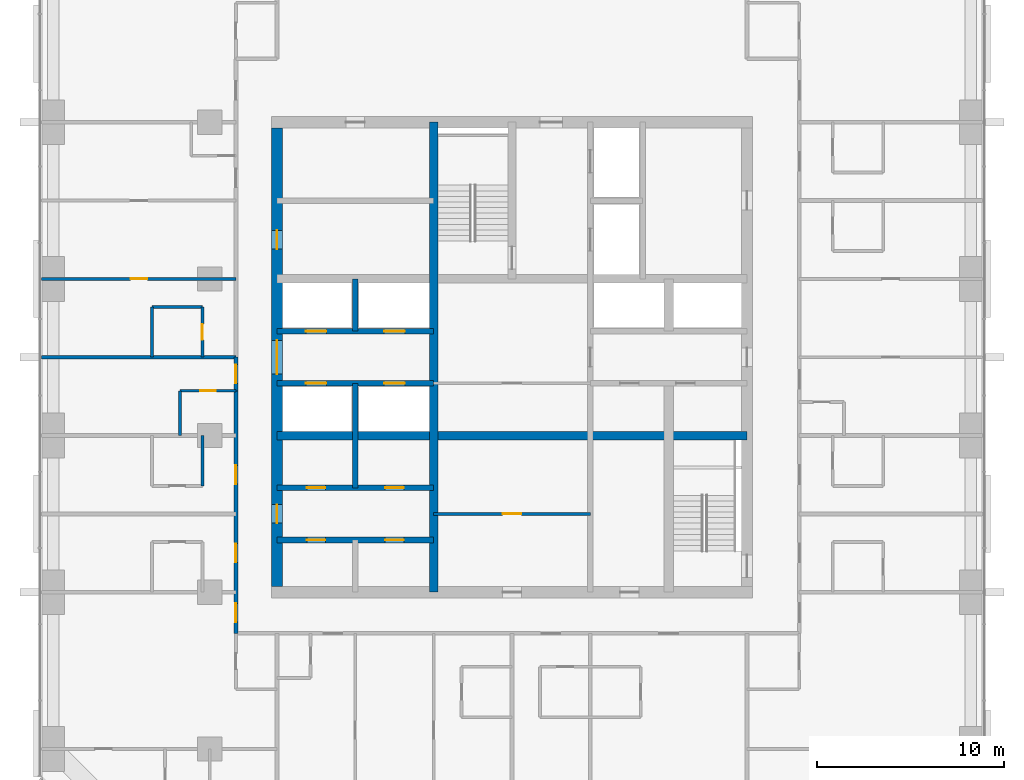
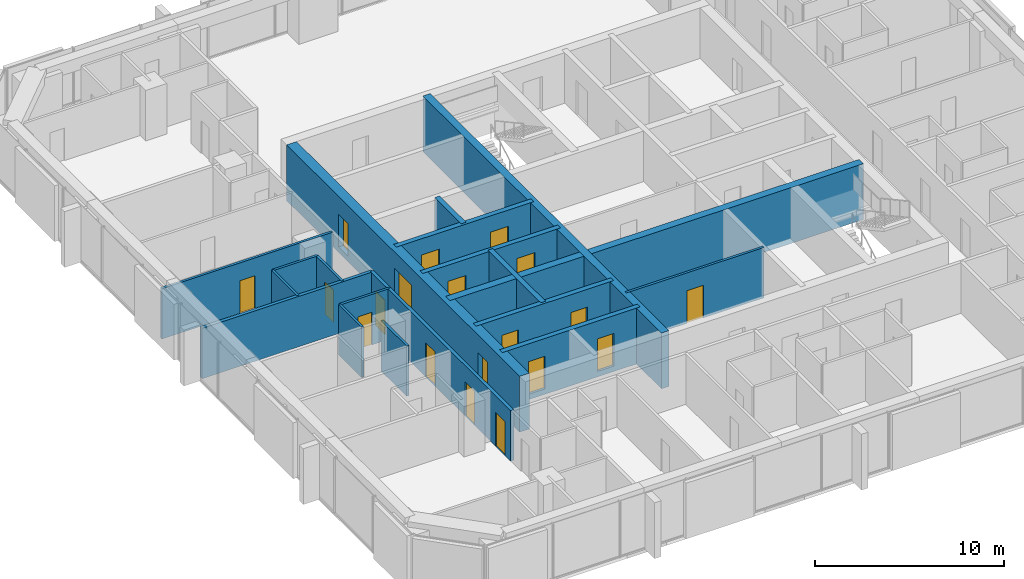
# One storey, part 9 of 13: 20 walls, 19 doors, 19 openings.
"""IFC4 building model written with IfcOpenShell, lengths in metres."""

from ifc_helpers import new_model, si_unit, direction, frame, frame_2d, origin, place, context, subcontext, project, spatial, rectangle, extrude, material, layer, layer_set, type_object, element, fill, save


model = new_model("IFC4")

# Units and contexts
model_context = context("Model", 3, precision=1e-05, world=origin(), true_north=direction((0.0, 1.0)))
body_context = subcontext(model_context, "Body", "Model", "MODEL_VIEW")
ifc_project = project(units=[si_unit("LENGTHUNIT", "METRE"), si_unit("AREAUNIT", "SQUARE_METRE"), si_unit("VOLUMEUNIT", "CUBIC_METRE"), si_unit("PLANEANGLEUNIT", "RADIAN"), si_unit("MASSUNIT", "GRAM", prefix="KILO")], contexts=[model_context])

# Site, building, storey
site_placement = place(None, origin())
site = spatial("IfcSite", under=ifc_project, at=site_placement, CompositionType="ELEMENT")
building_placement = place(site_placement, origin())
building = spatial("IfcBuilding", under=site, at=building_placement, Name="Dunama Terrace Hotel", CompositionType="ELEMENT")
storey_placement = place(building_placement, frame((0.0, 0.0, 209.39990234375)))
storey = spatial("IfcBuildingStorey", under=building, at=storey_placement, Name="L54", CompositionType="ELEMENT", Elevation=209.39990234375)

# Walls
ifc_material_1 = material(Name="Gypsum board partition", Category="masonry")
ifc_layer_1 = layer(ifc_material_1, 0.14990234375)
ifc_layer_set_1 = layer_set([ifc_layer_1], Name="Bathroom partition 150")
wall_type_1 = type_object("IfcWallType", Name="Bathroom partition 150", PredefinedType="PARTITIONING", material=ifc_layer_set_1)
wall_1_placement = place(storey_placement, frame((10.10009765625, 29.39990234375, 0.0), z_axis=(0.0, 0.0, 1.0), x_axis=(0.0, 1.0, 0.0)))
element("IfcWall", 1, at=wall_1_placement, inside=storey, type_object=wall_type_1, Name="Bathroom partition 150 L54", PredefinedType="PARTITIONING", context=body_context, shape_type="SweptSolid", body=[
    extrude(rectangle(XDim=2.7001953125, YDim=0.14990234375, at=frame_2d((1.35009765625, 0.0))), origin(), (0.0, 0.0, 1.0), 3.25),
])
wall_2_placement = place(storey_placement, frame((11.60009765625, 25.199951171875, 0.0), z_axis=(0.0, 0.0, 1.0), x_axis=(0.0, 1.0, 0.0)))
element("IfcWall", 2, at=wall_2_placement, inside=storey, type_object=wall_type_1, Name="Bathroom partition 150 L54", PredefinedType="PARTITIONING", context=body_context, shape_type="SweptSolid", body=[
    extrude(rectangle(XDim=2.400146484375, YDim=0.14990234375, at=frame_2d((1.2001953125, 0.0))), origin(), (0.0, 0.0, 1.0), 3.25),
])
wall_3_placement = place(storey_placement, frame((12.800048828125, 22.5, 0.0), z_axis=(0.0, 0.0, 1.0), x_axis=(0.0, 1.0, 0.0)))
element("IfcWall", 3, at=wall_3_placement, inside=storey, type_object=wall_type_1, Name="Bathroom partition 150 L54", PredefinedType="PARTITIONING", context=body_context, shape_type="SweptSolid", body=[
    extrude(rectangle(XDim=2.699951171875, YDim=0.14990234375, at=frame_2d((1.35009765625, 0.0))), origin(), (0.0, 0.0, 1.0), 3.25),
])

# Wall, opening, door
wall_4_placement = place(storey_placement, frame((12.800048828125, 29.39990234375, 0.0), z_axis=(0.0, 0.0, 1.0), x_axis=(0.0, 1.0, 0.0)))
wall_4 = element("IfcWall", 4, at=wall_4_placement, inside=storey, type_object=wall_type_1, Name="Bathroom partition 150 L54", PredefinedType="PARTITIONING", context=body_context, shape_type="SweptSolid", body=[
    extrude(rectangle(XDim=2.7001953125, YDim=0.14990234375, at=frame_2d((1.35009765625, 0.0))), origin(), (0.0, 0.0, 1.0), 3.25),
])
opening_1_placement = place(wall_4_placement, frame((0.925048828125, 0.0, 0.0)))
opening_1 = element("IfcOpeningElement", 5, at=opening_1_placement, cuts=wall_4, Name="Opening L53-54-039", PredefinedType="OPENING", context=body_context, shape_type="SweptSolid", body=[
    extrude(rectangle(XDim=0.85009765625, YDim=2.10009765625, at=frame_2d((0.425048828125, 1.050048828125))), frame((0.0, 0.0849609375, 0.0), z_axis=(0.0, -1.0, 0.0), x_axis=(1.0, 0.0, 0.0)), (0.0, 0.0, 1.0), 0.169921875),
])
ifc_material_2 = material(Name="Timber door with steel frame", Category="steel")
door_type_1 = type_object("IfcDoorType", Name="Bathroom door 850", OperationType="SINGLE_SWING_LEFT", PredefinedType="DOOR", material=ifc_material_2)
door_1_placement = place(opening_1_placement, origin())
door_1 = element("IfcDoor", 6, at=door_1_placement, inside=storey, type_object=door_type_1, Name="Door to en-suite bathroom L53-54-039, type D2", OperationType="SINGLE_SWING_LEFT", OverallHeight=2.10009765625, OverallWidth=0.85009765625, PredefinedType="DOOR", context=body_context, shape_type="SweptSolid", body=[
    extrude(rectangle(XDim=0.85009765625, YDim=2.10009765625, at=frame_2d((0.425048828125, 1.050048828125))), frame((0.0, 0.02490234375, 0.0), z_axis=(0.0, -1.0, 0.0), x_axis=(1.0, 0.0, 0.0)), (0.0, 0.0, 1.0), 0.050048828125),
])
fill(opening_1, door_1)

wall_5_placement = place(storey_placement, frame((11.60009765625, 27.60009765625, 0.0), z_axis=(0.0, 0.0, 1.0), x_axis=(1.0, 0.0, 0.0)))
wall_5 = element("IfcWall", 7, at=wall_5_placement, inside=storey, type_object=wall_type_1, Name="Bathroom partition 150 L54", PredefinedType="PARTITIONING", context=body_context, shape_type="SweptSolid", body=[
    extrude(rectangle(XDim=3.0, YDim=0.14990234375, at=frame_2d((1.5, 0.0))), origin(), (0.0, 0.0, 1.0), 3.25),
])
opening_2_placement = place(wall_5_placement, frame((1.074951171875, 0.0, 0.0)))
opening_2 = element("IfcOpeningElement", 8, at=opening_2_placement, cuts=wall_5, Name="Opening L53-54-034", PredefinedType="OPENING", context=body_context, shape_type="SweptSolid", body=[
    extrude(rectangle(XDim=0.85009765625, YDim=2.10009765625, at=frame_2d((0.425048828125, 1.050048828125))), frame((0.0, 0.0849609375, 0.0), z_axis=(0.0, -1.0, 0.0), x_axis=(1.0, 0.0, 0.0)), (0.0, 0.0, 1.0), 0.169921875),
])
door_2_placement = place(opening_2_placement, frame((0.85009765625, 0.0, 0.0), z_axis=(0.0, 0.0, 1.0), x_axis=(-1.0, 0.0, 0.0)))
door_2 = element("IfcDoor", 9, at=door_2_placement, inside=storey, type_object=door_type_1, Name="Door to ablution room L53-54-034, type D2", OperationType="SINGLE_SWING_RIGHT", OverallHeight=2.10009765625, OverallWidth=0.85009765625, PredefinedType="DOOR", context=body_context, shape_type="SweptSolid", body=[
    extrude(rectangle(XDim=0.85009765625, YDim=2.10009765625, at=frame_2d((0.425048828125, 1.050048828125))), frame((0.0, 0.025146484375, 0.0), z_axis=(0.0, -1.0, 0.0), x_axis=(1.0, 0.0, 0.0)), (0.0, 0.0, 1.0), 0.050048828125),
])
fill(opening_2, door_2)

# Walls
wall_6_placement = place(storey_placement, frame((10.10009765625, 32.10009765625, 0.0), z_axis=(0.0, 0.0, 1.0), x_axis=(1.0, 0.0, 0.0)))
element("IfcWall", 10, at=wall_6_placement, inside=storey, type_object=wall_type_1, Name="Bathroom partition 150 L54", PredefinedType="PARTITIONING", context=body_context, shape_type="SweptSolid", body=[
    extrude(rectangle(XDim=2.699951171875, YDim=0.14990234375, at=frame_2d((1.35009765625, 0.0))), origin(), (0.0, 0.0, 1.0), 3.25),
])
ifc_material_3 = material(Name="Concrete C50/60", Category="concrete")
ifc_layer_2 = layer(ifc_material_3, 0.300048828125)
ifc_layer_set_2 = layer_set([ifc_layer_2], Name="Core inner wall 300")
wall_type_2 = type_object("IfcWallType", Name="Core inner wall 300", PredefinedType="SHEAR", material=ifc_layer_set_2)
wall_7_placement = place(storey_placement, frame((21.0, 22.39990234375, -0.349853515625), z_axis=(0.0, 0.0, 1.0), x_axis=(0.0, 1.0, 0.0)))
element("IfcWall", 11, at=wall_7_placement, inside=storey, type_object=wall_type_2, Name="Core inner wall 300 L54", PredefinedType="SHEAR", context=body_context, shape_type="SweptSolid", body=[
    extrude(rectangle(XDim=5.60009765625, YDim=0.300048828125, at=frame_2d((2.800048828125, 0.0))), origin(), (0.0, 0.0, 1.0), 3.599853515625),
])
wall_8_placement = place(storey_placement, frame((21.0, 30.800048828125, -0.349853515625), z_axis=(0.0, 0.0, 1.0), x_axis=(0.0, 1.0, 0.0)))
element("IfcWall", 12, at=wall_8_placement, inside=storey, type_object=wall_type_2, Name="Core inner wall 300 L54", PredefinedType="SHEAR", context=body_context, shape_type="SweptSolid", body=[
    extrude(rectangle(XDim=2.800048828125, YDim=0.300048828125, at=frame_2d((1.39990234375, 0.0))), origin(), (0.0, 0.0, 1.0), 3.599853515625),
])

# Wall, openings, doors
wall_9_placement = place(storey_placement, frame((16.800048828125, 19.60009765625, -0.349853515625), z_axis=(0.0, 0.0, 1.0), x_axis=(1.0, 0.0, 0.0)))
wall_9 = element("IfcWall", 13, at=wall_9_placement, inside=storey, type_object=wall_type_2, Name="Core inner wall 300 L54", PredefinedType="SHEAR", context=body_context, shape_type="SweptSolid", body=[
    extrude(rectangle(XDim=8.39990234375, YDim=0.300048828125, at=frame_2d((4.199951171875, 0.0))), origin(), (0.0, 0.0, 1.0), 3.599853515625),
])
opening_3_placement = place(wall_9_placement, frame((1.60009765625, 0.0, 0.35009765625)))
opening_3 = element("IfcOpeningElement", 14, at=opening_3_placement, cuts=wall_9, Name="Opening L53-54-061", PredefinedType="OPENING", context=body_context, shape_type="SweptSolid", body=[
    extrude(rectangle(XDim=1.0, YDim=2.10009765625, at=frame_2d((0.5, 1.050048828125))), frame((0.0, 0.159912109375, 0.0), z_axis=(0.0, -1.0, 0.0), x_axis=(1.0, 0.0, 0.0)), (0.0, 0.0, 1.0), 0.320068359375),
])
opening_4_placement = place(wall_9_placement, frame((5.800048828125, 0.0, 0.35009765625)))
opening_4 = element("IfcOpeningElement", 15, at=opening_4_placement, cuts=wall_9, Name="Opening L53-54-062", PredefinedType="OPENING", context=body_context, shape_type="SweptSolid", body=[
    extrude(rectangle(XDim=1.0, YDim=2.10009765625, at=frame_2d((0.5, 1.050048828125))), frame((0.0, 0.159912109375, 0.0), z_axis=(0.0, -1.0, 0.0), x_axis=(1.0, 0.0, 0.0)), (0.0, 0.0, 1.0), 0.320068359375),
])
ifc_material_4 = material(Name="Timber door with steel frame", Category="steel")
door_type_2 = type_object("IfcDoorType", Name="Service door 1000", OperationType="SINGLE_SWING_LEFT", PredefinedType="DOOR", material=ifc_material_4)
door_3_placement = place(opening_3_placement, frame((1.0, 0.0, 0.0), z_axis=(0.0, 0.0, 1.0), x_axis=(-1.0, 0.0, 0.0)))
door_3 = element("IfcDoor", 16, at=door_3_placement, inside=storey, type_object=door_type_2, Name="Door to service riser L53-54-061, type D7", OperationType="SINGLE_SWING_RIGHT", OverallHeight=2.10009765625, OverallWidth=1.0, PredefinedType="DOOR", context=body_context, shape_type="SweptSolid", body=[
    extrude(rectangle(XDim=1.0, YDim=2.10009765625, at=frame_2d((0.5, 1.050048828125))), frame((0.0, 0.025146484375, 0.0), z_axis=(0.0, -1.0, 0.0), x_axis=(1.0, 0.0, 0.0)), (0.0, 0.0, 1.0), 0.050048828125),
])
fill(opening_3, door_3)
door_4_placement = place(opening_4_placement, frame((1.0, 0.0, 0.0), z_axis=(0.0, 0.0, 1.0), x_axis=(-1.0, 0.0, 0.0)))
door_4 = element("IfcDoor", 17, at=door_4_placement, inside=storey, type_object=door_type_2, Name="Door to staff accessible wc L53-54-062, type D7", OperationType="SINGLE_SWING_LEFT", OverallHeight=2.10009765625, OverallWidth=1.0, PredefinedType="DOOR", context=body_context, shape_type="SweptSolid", body=[
    extrude(rectangle(XDim=1.0, YDim=2.10009765625, at=frame_2d((0.5, 1.050048828125))), frame((0.0, 0.025146484375, 0.0), z_axis=(0.0, -1.0, 0.0), x_axis=(1.0, 0.0, 0.0)), (0.0, 0.0, 1.0), 0.050048828125),
])
fill(opening_4, door_4)

wall_10_placement = place(storey_placement, frame((16.800048828125, 22.39990234375, -0.349853515625), z_axis=(0.0, 0.0, 1.0), x_axis=(1.0, 0.0, 0.0)))
wall_10 = element("IfcWall", 18, at=wall_10_placement, inside=storey, type_object=wall_type_2, Name="Core inner wall 300 L54", PredefinedType="SHEAR", context=body_context, shape_type="SweptSolid", body=[
    extrude(rectangle(XDim=8.39990234375, YDim=0.300048828125, at=frame_2d((4.199951171875, 0.0))), origin(), (0.0, 0.0, 1.0), 3.599853515625),
])
opening_5_placement = place(wall_10_placement, frame((1.60009765625, 0.0, 0.35009765625)))
opening_5 = element("IfcOpeningElement", 19, at=opening_5_placement, cuts=wall_10, Name="Opening L53-54-063", PredefinedType="OPENING", context=body_context, shape_type="SweptSolid", body=[
    extrude(rectangle(XDim=1.0, YDim=2.10009765625, at=frame_2d((0.5, 1.050048828125))), frame((0.0, 0.159912109375, 0.0), z_axis=(0.0, -1.0, 0.0), x_axis=(1.0, 0.0, 0.0)), (0.0, 0.0, 1.0), 0.320068359375),
])
opening_6_placement = place(wall_10_placement, frame((5.800048828125, 0.0, 0.35009765625)))
opening_6 = element("IfcOpeningElement", 20, at=opening_6_placement, cuts=wall_10, Name="Opening L53-54-064", PredefinedType="OPENING", context=body_context, shape_type="SweptSolid", body=[
    extrude(rectangle(XDim=1.0, YDim=2.10009765625, at=frame_2d((0.5, 1.050048828125))), frame((0.0, 0.159912109375, 0.0), z_axis=(0.0, -1.0, 0.0), x_axis=(1.0, 0.0, 0.0)), (0.0, 0.0, 1.0), 0.320068359375),
])
door_5_placement = place(opening_5_placement, origin())
door_5 = element("IfcDoor", 21, at=door_5_placement, inside=storey, type_object=door_type_2, Name="Door to it room L53-54-063, type D7", OperationType="SINGLE_SWING_LEFT", OverallHeight=2.10009765625, OverallWidth=1.0, PredefinedType="DOOR", context=body_context, shape_type="SweptSolid", body=[
    extrude(rectangle(XDim=1.0, YDim=2.10009765625, at=frame_2d((0.5, 1.050048828125))), frame((0.0, 0.02490234375, 0.0), z_axis=(0.0, -1.0, 0.0), x_axis=(1.0, 0.0, 0.0)), (0.0, 0.0, 1.0), 0.050048828125),
])
fill(opening_5, door_5)
door_6_placement = place(opening_6_placement, origin())
door_6 = element("IfcDoor", 22, at=door_6_placement, inside=storey, type_object=door_type_2, Name="Door to linen store L53-54-064, type D7", OperationType="SINGLE_SWING_RIGHT", OverallHeight=2.10009765625, OverallWidth=1.0, PredefinedType="DOOR", context=body_context, shape_type="SweptSolid", body=[
    extrude(rectangle(XDim=1.0, YDim=2.10009765625, at=frame_2d((0.5, 1.050048828125))), frame((0.0, 0.02490234375, 0.0), z_axis=(0.0, -1.0, 0.0), x_axis=(1.0, 0.0, 0.0)), (0.0, 0.0, 1.0), 0.050048828125),
])
fill(opening_6, door_6)

wall_11_placement = place(storey_placement, frame((16.800048828125, 28.0, -0.349853515625), z_axis=(0.0, 0.0, 1.0), x_axis=(1.0, 0.0, 0.0)))
wall_11 = element("IfcWall", 23, at=wall_11_placement, inside=storey, type_object=wall_type_2, Name="Core inner wall 300 L54", PredefinedType="SHEAR", context=body_context, shape_type="SweptSolid", body=[
    extrude(rectangle(XDim=8.39990234375, YDim=0.300048828125, at=frame_2d((4.199951171875, 0.0))), origin(), (0.0, 0.0, 1.0), 3.599853515625),
])
opening_7_placement = place(wall_11_placement, frame((1.550048828125, 0.0, 0.35009765625)))
opening_7 = element("IfcOpeningElement", 24, at=opening_7_placement, cuts=wall_11, Name="Opening L53-54-003", PredefinedType="OPENING", context=body_context, shape_type="SweptSolid", body=[
    extrude(rectangle(XDim=1.10009765625, YDim=2.199951171875, at=frame_2d((0.550048828125, 1.10009765625))), frame((0.0, 0.159912109375, 0.0), z_axis=(0.0, -1.0, 0.0), x_axis=(1.0, 0.0, 0.0)), (0.0, 0.0, 1.0), 0.320068359375),
])
opening_8_placement = place(wall_11_placement, frame((5.75, 0.0, 0.35009765625)))
opening_8 = element("IfcOpeningElement", 25, at=opening_8_placement, cuts=wall_11, Name="Opening L53-54-004", PredefinedType="OPENING", context=body_context, shape_type="SweptSolid", body=[
    extrude(rectangle(XDim=1.10009765625, YDim=2.199951171875, at=frame_2d((0.550048828125, 1.10009765625))), frame((0.0, 0.159912109375, 0.0), z_axis=(0.0, -1.0, 0.0), x_axis=(1.0, 0.0, 0.0)), (0.0, 0.0, 1.0), 0.320068359375),
])
ifc_material_5 = material(Name="Stainless steel lift door", Category="steel")
door_type_3 = type_object("IfcDoorType", Name="Lift landing door 1100", OperationType="DOUBLE_DOOR_SLIDING", PredefinedType="DOOR", material=ifc_material_5)
door_7_placement = place(opening_7_placement, origin())
door_7 = element("IfcDoor", 26, at=door_7_placement, inside=storey, type_object=door_type_3, Name="Landing door PC1 L53-54-003, type LD1", OperationType="DOUBLE_DOOR_SLIDING", OverallHeight=2.199951171875, OverallWidth=1.10009765625, PredefinedType="DOOR", context=body_context, shape_type="SweptSolid", body=[
    extrude(rectangle(XDim=1.10009765625, YDim=2.199951171875, at=frame_2d((0.550048828125, 1.10009765625))), frame((0.0, 0.02490234375, 0.0), z_axis=(0.0, -1.0, 0.0), x_axis=(1.0, 0.0, 0.0)), (0.0, 0.0, 1.0), 0.050048828125),
])
fill(opening_7, door_7)
door_8_placement = place(opening_8_placement, origin())
door_8 = element("IfcDoor", 27, at=door_8_placement, inside=storey, type_object=door_type_3, Name="Landing door PC2 L53-54-004, type LD1", OperationType="DOUBLE_DOOR_SLIDING", OverallHeight=2.199951171875, OverallWidth=1.10009765625, PredefinedType="DOOR", context=body_context, shape_type="SweptSolid", body=[
    extrude(rectangle(XDim=1.10009765625, YDim=2.199951171875, at=frame_2d((0.550048828125, 1.10009765625))), frame((0.0, 0.02490234375, 0.0), z_axis=(0.0, -1.0, 0.0), x_axis=(1.0, 0.0, 0.0)), (0.0, 0.0, 1.0), 0.050048828125),
])
fill(opening_8, door_8)

wall_12_placement = place(storey_placement, frame((16.800048828125, 30.800048828125, -0.349853515625), z_axis=(0.0, 0.0, 1.0), x_axis=(1.0, 0.0, 0.0)))
wall_12 = element("IfcWall", 28, at=wall_12_placement, inside=storey, type_object=wall_type_2, Name="Core inner wall 300 L54", PredefinedType="SHEAR", context=body_context, shape_type="SweptSolid", body=[
    extrude(rectangle(XDim=8.39990234375, YDim=0.300048828125, at=frame_2d((4.199951171875, 0.0))), origin(), (0.0, 0.0, 1.0), 3.599853515625),
])
opening_9_placement = place(wall_12_placement, frame((1.550048828125, 0.0, 0.35009765625)))
opening_9 = element("IfcOpeningElement", 29, at=opening_9_placement, cuts=wall_12, Name="Opening L53-54-005", PredefinedType="OPENING", context=body_context, shape_type="SweptSolid", body=[
    extrude(rectangle(XDim=1.10009765625, YDim=2.199951171875, at=frame_2d((0.550048828125, 1.10009765625))), frame((0.0, 0.159912109375, 0.0), z_axis=(0.0, -1.0, 0.0), x_axis=(1.0, 0.0, 0.0)), (0.0, 0.0, 1.0), 0.320068359375),
])
opening_10_placement = place(wall_12_placement, frame((5.75, 0.0, 0.35009765625)))
opening_10 = element("IfcOpeningElement", 30, at=opening_10_placement, cuts=wall_12, Name="Opening L53-54-006", PredefinedType="OPENING", context=body_context, shape_type="SweptSolid", body=[
    extrude(rectangle(XDim=1.10009765625, YDim=2.199951171875, at=frame_2d((0.550048828125, 1.10009765625))), frame((0.0, 0.159912109375, 0.0), z_axis=(0.0, -1.0, 0.0), x_axis=(1.0, 0.0, 0.0)), (0.0, 0.0, 1.0), 0.320068359375),
])
door_9_placement = place(opening_9_placement, origin())
door_9 = element("IfcDoor", 31, at=door_9_placement, inside=storey, type_object=door_type_3, Name="Landing door PC3 L53-54-005, type LD1", OperationType="DOUBLE_DOOR_SLIDING", OverallHeight=2.199951171875, OverallWidth=1.10009765625, PredefinedType="DOOR", context=body_context, shape_type="SweptSolid", body=[
    extrude(rectangle(XDim=1.10009765625, YDim=2.199951171875, at=frame_2d((0.550048828125, 1.10009765625))), frame((0.0, 0.02490234375, 0.0), z_axis=(0.0, -1.0, 0.0), x_axis=(1.0, 0.0, 0.0)), (0.0, 0.0, 1.0), 0.050048828125),
])
fill(opening_9, door_9)
door_10_placement = place(opening_10_placement, origin())
door_10 = element("IfcDoor", 32, at=door_10_placement, inside=storey, type_object=door_type_3, Name="Landing door PC4 L53-54-006, type LD1", OperationType="DOUBLE_DOOR_SLIDING", OverallHeight=2.199951171875, OverallWidth=1.10009765625, PredefinedType="DOOR", context=body_context, shape_type="SweptSolid", body=[
    extrude(rectangle(XDim=1.10009765625, YDim=2.199951171875, at=frame_2d((0.550048828125, 1.10009765625))), frame((0.0, 0.02490234375, 0.0), z_axis=(0.0, -1.0, 0.0), x_axis=(1.0, 0.0, 0.0)), (0.0, 0.0, 1.0), 0.050048828125),
])
fill(opening_10, door_10)

# Walls
ifc_material_6 = material(Name="Concrete C50/60", Category="concrete")
ifc_layer_3 = layer(ifc_material_6, 0.449951171875)
ifc_layer_set_3 = layer_set([ifc_layer_3], Name="Core inner wall 450")
wall_type_3 = type_object("IfcWallType", Name="Core inner wall 450", PredefinedType="SHEAR", material=ifc_layer_set_3)
for number, where, z_axis, x_axis, name in (
    (33, (25.199951171875, 16.800048828125, -0.349853515625), (0.0, 0.0, 1.0), (0.0, 1.0, 0.0), "Core inner wall 450 L54"),
    (34, (16.800048828125, 25.199951171875, -0.349853515625), (0.0, 0.0, 1.0), (1.0, 0.0, 0.0), "Core inner wall 450 L54"),
):
    element("IfcWall", number, at=place(storey_placement, frame(where, z_axis=z_axis, x_axis=x_axis)), inside=storey, type_object=wall_type_3, Name=name, PredefinedType="SHEAR", context=body_context, shape_type="SweptSolid", body=[
        extrude(rectangle(XDim=25.199951171875, YDim=0.449951171875, at=frame_2d((12.60009765625, 0.0))), origin(), (0.0, 0.0, 1.0), 3.599853515625),
    ])

# Wall, openings, doors
ifc_material_7 = material(Name="Concrete C50/60", Category="concrete")
ifc_layer_4 = layer(ifc_material_7, 0.60009765625)
ifc_layer_set_4 = layer_set([ifc_layer_4], Name="Core wall 600")
wall_type_4 = type_object("IfcWallType", Name="Core wall 600", PredefinedType="SHEAR", material=ifc_layer_set_4)
wall_13_placement = place(storey_placement, frame((16.800048828125, 41.699951171875, -0.349853515625), z_axis=(0.0, 0.0, 1.0), x_axis=(0.0, -1.0, 0.0)))
wall_13 = element("IfcWall", 35, at=wall_13_placement, inside=storey, type_object=wall_type_4, Name="Core wall west L54", PredefinedType="SHEAR", context=body_context, shape_type="SweptSolid", body=[
    extrude(rectangle(XDim=24.599853515625, YDim=0.60009765625, at=frame_2d((12.2998046875, 0.0))), origin(), (0.0, 0.0, 1.0), 3.599853515625),
])
opening_11_placement = place(wall_13_placement, frame((11.39990234375, 0.0, 0.35009765625)))
opening_11 = element("IfcOpeningElement", 36, at=opening_11_placement, cuts=wall_13, Name="Opening L53-54-060", PredefinedType="OPENING", context=body_context, shape_type="SweptSolid", body=[
    extrude(rectangle(XDim=1.800048828125, YDim=2.199951171875, at=frame_2d((0.89990234375, 1.10009765625))), frame((0.0, 0.31005859375, 0.0), z_axis=(0.0, -1.0, 0.0), x_axis=(1.0, 0.0, 0.0)), (0.0, 0.0, 1.0), 0.6201171875),
])
opening_12_placement = place(wall_13_placement, frame((20.199951171875, 0.0, 0.35009765625)))
opening_12 = element("IfcOpeningElement", 37, at=opening_12_placement, cuts=wall_13, Name="Opening L53-54-065", PredefinedType="OPENING", context=body_context, shape_type="SweptSolid", body=[
    extrude(rectangle(XDim=1.0, YDim=2.10009765625, at=frame_2d((0.5, 1.050048828125))), frame((0.0, 0.31005859375, 0.0), z_axis=(0.0, -1.0, 0.0), x_axis=(1.0, 0.0, 0.0)), (0.0, 0.0, 1.0), 0.6201171875),
])
opening_13_placement = place(wall_13_placement, frame((5.5, 0.0, 0.35009765625)))
opening_13 = element("IfcOpeningElement", 38, at=opening_13_placement, cuts=wall_13, Name="Opening L53-54-066", PredefinedType="OPENING", context=body_context, shape_type="SweptSolid", body=[
    extrude(rectangle(XDim=1.0, YDim=2.10009765625, at=frame_2d((0.5, 1.050048828125))), frame((0.0, 0.31005859375, 0.0), z_axis=(0.0, -1.0, 0.0), x_axis=(1.0, 0.0, 0.0)), (0.0, 0.0, 1.0), 0.6201171875),
])
ifc_material_8 = material(Name="Timber door with steel frame", Category="steel")
door_type_4 = type_object("IfcDoorType", Name="Lift lobby double door 1800", OperationType="DOUBLE_DOOR_DOUBLE_SWING", PredefinedType="DOOR", material=ifc_material_8)
door_11_placement = place(opening_11_placement, origin())
door_11 = element("IfcDoor", 39, at=door_11_placement, inside=storey, type_object=door_type_4, Name="Door to lift lobby L53-54-060, type D3", OperationType="DOUBLE_DOOR_DOUBLE_SWING", OverallHeight=2.199951171875, OverallWidth=1.800048828125, PredefinedType="DOOR", context=body_context, shape_type="SweptSolid", body=[
    extrude(rectangle(XDim=1.800048828125, YDim=2.199951171875, at=frame_2d((0.89990234375, 1.10009765625))), frame((0.0, 0.02490234375, 0.0), z_axis=(0.0, -1.0, 0.0), x_axis=(1.0, 0.0, 0.0)), (0.0, 0.0, 1.0), 0.050048828125),
])
fill(opening_11, door_11)
door_12_placement = place(opening_12_placement, origin())
door_12 = element("IfcDoor", 40, at=door_12_placement, inside=storey, type_object=door_type_2, Name="Door to back-of-house lobby L53-54-065, type D7", OperationType="SINGLE_SWING_LEFT", OverallHeight=2.10009765625, OverallWidth=1.0, PredefinedType="DOOR", context=body_context, shape_type="SweptSolid", body=[
    extrude(rectangle(XDim=1.0, YDim=2.10009765625, at=frame_2d((0.5, 1.050048828125))), frame((0.0, 0.02490234375, 0.0), z_axis=(0.0, -1.0, 0.0), x_axis=(1.0, 0.0, 0.0)), (0.0, 0.0, 1.0), 0.050048828125),
])
fill(opening_12, door_12)
door_13_placement = place(opening_13_placement, origin())
door_13 = element("IfcDoor", 41, at=door_13_placement, inside=storey, type_object=door_type_2, Name="Door to electrical room L53-54-066, type D7", OperationType="SINGLE_SWING_RIGHT", OverallHeight=2.10009765625, OverallWidth=1.0, PredefinedType="DOOR", context=body_context, shape_type="SweptSolid", body=[
    extrude(rectangle(XDim=1.0, YDim=2.10009765625, at=frame_2d((0.5, 1.050048828125))), frame((0.0, 0.02490234375, 0.0), z_axis=(0.0, -1.0, 0.0), x_axis=(1.0, 0.0, 0.0)), (0.0, 0.0, 1.0), 0.050048828125),
])
fill(opening_13, door_13)

ifc_material_9 = material(Name="Concrete blockwork", Category="masonry")
ifc_layer_5 = layer(ifc_material_9, 0.199951171875)
ifc_layer_set_5 = layer_set([ifc_layer_5], Name="Corridor partition 200")
wall_type_5 = type_object("IfcWallType", Name="Corridor partition 200", PredefinedType="PARTITIONING", material=ifc_layer_set_5)
wall_14_placement = place(storey_placement, frame((14.60009765625, 14.60009765625, 0.0), z_axis=(0.0, 0.0, 1.0), x_axis=(0.0, 1.0, 0.0)))
wall_14 = element("IfcWall", 42, at=wall_14_placement, inside=storey, type_object=wall_type_5, Name="Corridor partition 200 L54", PredefinedType="PARTITIONING", context=body_context, shape_type="SweptSolid", body=[
    extrude(rectangle(XDim=13.0, YDim=0.199951171875, at=frame_2d((6.5, 0.0))), origin(), (0.0, 0.0, 1.0), 3.25),
])
opening_14_placement = place(wall_14_placement, frame((3.800048828125, 0.0, 0.0)))
opening_14 = element("IfcOpeningElement", 43, at=opening_14_placement, cuts=wall_14, Name="Opening L53-54-029", PredefinedType="OPENING", context=body_context, shape_type="SweptSolid", body=[
    extrude(rectangle(XDim=1.0, YDim=2.199951171875, at=frame_2d((0.5, 1.10009765625))), frame((0.0, 0.10986328125, 0.0), z_axis=(0.0, -1.0, 0.0), x_axis=(1.0, 0.0, 0.0)), (0.0, 0.0, 1.0), 0.219970703125),
])
opening_15_placement = place(wall_14_placement, frame((8.0, 0.0, 0.0)))
opening_15 = element("IfcOpeningElement", 44, at=opening_15_placement, cuts=wall_14, Name="Opening L53-54-031", PredefinedType="OPENING", context=body_context, shape_type="SweptSolid", body=[
    extrude(rectangle(XDim=1.0, YDim=2.199951171875, at=frame_2d((0.5, 1.10009765625))), frame((0.0, 0.10986328125, 0.0), z_axis=(0.0, -1.0, 0.0), x_axis=(1.0, 0.0, 0.0)), (0.0, 0.0, 1.0), 0.219970703125),
])
opening_16_placement = place(wall_14_placement, frame((0.60009765625, 0.0, 0.0)))
opening_16 = element("IfcOpeningElement", 45, at=opening_16_placement, cuts=wall_14, Name="Opening L53-54-040", PredefinedType="OPENING", context=body_context, shape_type="SweptSolid", body=[
    extrude(rectangle(XDim=1.0, YDim=2.199951171875, at=frame_2d((0.5, 1.10009765625))), frame((0.0, 0.10986328125, 0.0), z_axis=(0.0, -1.0, 0.0), x_axis=(1.0, 0.0, 0.0)), (0.0, 0.0, 1.0), 0.219970703125),
])
ifc_material_10 = material(Name="Timber door with steel frame", Category="steel")
door_type_5 = type_object("IfcDoorType", Name="Guest room door 1000", OperationType="SINGLE_SWING_LEFT", PredefinedType="DOOR", material=ifc_material_10)
door_14_placement = place(opening_14_placement, origin())
door_14 = element("IfcDoor", 46, at=door_14_placement, inside=storey, type_object=door_type_5, Name="Door to club room L53-54-029, type D1", OperationType="SINGLE_SWING_LEFT", OverallHeight=2.199951171875, OverallWidth=1.0, PredefinedType="DOOR", context=body_context, shape_type="SweptSolid", body=[
    extrude(rectangle(XDim=1.0, YDim=2.199951171875, at=frame_2d((0.5, 1.10009765625))), frame((0.0, 0.02490234375, 0.0), z_axis=(0.0, -1.0, 0.0), x_axis=(1.0, 0.0, 0.0)), (0.0, 0.0, 1.0), 0.050048828125),
])
fill(opening_14, door_14)
door_15_placement = place(opening_15_placement, origin())
door_15 = element("IfcDoor", 47, at=door_15_placement, inside=storey, type_object=door_type_5, Name="Door to club room L53-54-031, type D1", OperationType="SINGLE_SWING_LEFT", OverallHeight=2.199951171875, OverallWidth=1.0, PredefinedType="DOOR", context=body_context, shape_type="SweptSolid", body=[
    extrude(rectangle(XDim=1.0, YDim=2.199951171875, at=frame_2d((0.5, 1.10009765625))), frame((0.0, 0.02490234375, 0.0), z_axis=(0.0, -1.0, 0.0), x_axis=(1.0, 0.0, 0.0)), (0.0, 0.0, 1.0), 0.050048828125),
])
fill(opening_15, door_15)
door_16_placement = place(opening_16_placement, origin())
door_16 = element("IfcDoor", 48, at=door_16_placement, inside=storey, type_object=door_type_5, Name="Door to corner suite living room L53-54-040, type D1", OperationType="SINGLE_SWING_LEFT", OverallHeight=2.199951171875, OverallWidth=1.0, PredefinedType="DOOR", context=body_context, shape_type="SweptSolid", body=[
    extrude(rectangle(XDim=1.0, YDim=2.199951171875, at=frame_2d((0.5, 1.10009765625))), frame((0.0, 0.02490234375, 0.0), z_axis=(0.0, -1.0, 0.0), x_axis=(1.0, 0.0, 0.0)), (0.0, 0.0, 1.0), 0.050048828125),
])
fill(opening_16, door_16)

# Wall, opening, door
wall_15_placement = place(storey_placement, frame((14.60009765625, 29.39990234375, 0.0), z_axis=(0.0, 0.0, 1.0), x_axis=(0.0, -1.0, 0.0)))
wall_15 = element("IfcWall", 49, at=wall_15_placement, inside=storey, type_object=wall_type_5, Name="Corridor partition 200 L54", PredefinedType="PARTITIONING", context=body_context, shape_type="SweptSolid", body=[
    extrude(rectangle(XDim=1.7998046875, YDim=0.199951171875, at=frame_2d((0.89990234375, 0.0))), origin(), (0.0, 0.0, 1.0), 3.25),
])
opening_17_placement = place(wall_15_placement, frame((0.39990234375, 0.0, 0.0)))
opening_17 = element("IfcOpeningElement", 50, at=opening_17_placement, cuts=wall_15, Name="Opening L53-54-033", PredefinedType="OPENING", context=body_context, shape_type="SweptSolid", body=[
    extrude(rectangle(XDim=1.0, YDim=2.199951171875, at=frame_2d((0.5, 1.10009765625))), frame((0.0, 0.10986328125, 0.0), z_axis=(0.0, -1.0, 0.0), x_axis=(1.0, 0.0, 0.0)), (0.0, 0.0, 1.0), 0.219970703125),
])
door_17_placement = place(opening_17_placement, origin())
door_17 = element("IfcDoor", 51, at=door_17_placement, inside=storey, type_object=door_type_5, Name="Door to prayer room L53-54-033, type D1", OperationType="SINGLE_SWING_LEFT", OverallHeight=2.199951171875, OverallWidth=1.0, PredefinedType="DOOR", context=body_context, shape_type="SweptSolid", body=[
    extrude(rectangle(XDim=1.0, YDim=2.199951171875, at=frame_2d((0.5, 1.10009765625))), frame((0.0, 0.02490234375, 0.0), z_axis=(0.0, -1.0, 0.0), x_axis=(1.0, 0.0, 0.0)), (0.0, 0.0, 1.0), 0.050048828125),
])
fill(opening_17, door_17)

# Wall
ifc_material_11 = material(Name="Concrete blockwork", Category="masonry")
ifc_layer_6 = layer(ifc_material_11, 0.199951171875)
ifc_layer_set_6 = layer_set([ifc_layer_6], Name="Party wall 200")
wall_type_6 = type_object("IfcWallType", Name="Party wall 200", PredefinedType="PARTITIONING", material=ifc_layer_set_6)
wall_16_placement = place(storey_placement, frame((4.181884765625, 29.39990234375, 0.0), z_axis=(0.0, 0.0, 1.0), x_axis=(1.0, 0.0, 0.0)))
element("IfcWall", 52, at=wall_16_placement, inside=storey, type_object=wall_type_6, Name="Party wall 200 L54", PredefinedType="PARTITIONING", context=body_context, shape_type="SweptSolid", body=[
    extrude(rectangle(XDim=10.418212890625, YDim=0.199951171875, at=frame_2d((5.208984375, 0.0))), origin(), (0.0, 0.0, 1.0), 3.25),
])

# Wall, opening, door
ifc_material_12 = material(Name="Gypsum board partition", Category="masonry")
ifc_layer_7 = layer(ifc_material_12, 0.14990234375)
ifc_layer_set_7 = layer_set([ifc_layer_7], Name="Room partition 150")
wall_type_7 = type_object("IfcWallType", Name="Room partition 150", PredefinedType="PARTITIONING", material=ifc_layer_set_7)
wall_17_placement = place(storey_placement, frame((25.199951171875, 21.0, 0.0), z_axis=(0.0, 0.0, 1.0), x_axis=(1.0, 0.0, 0.0)))
wall_17 = element("IfcWall", 53, at=wall_17_placement, inside=storey, type_object=wall_type_7, Name="Room partition 150 L54", PredefinedType="PARTITIONING", context=body_context, shape_type="SweptSolid", body=[
    extrude(rectangle(XDim=8.400146484375, YDim=0.14990234375, at=frame_2d((4.2001953125, 0.0))), origin(), (0.0, 0.0, 1.0), 3.25),
])
opening_18_placement = place(wall_17_placement, frame((3.699951171875, 0.0, 0.0)))
opening_18 = element("IfcOpeningElement", 54, at=opening_18_placement, cuts=wall_17, Name="Opening L53-54-076", PredefinedType="OPENING", context=body_context, shape_type="SweptSolid", body=[
    extrude(rectangle(XDim=1.0, YDim=2.10009765625, at=frame_2d((0.5, 1.050048828125))), frame((0.0, 0.0849609375, 0.0), z_axis=(0.0, -1.0, 0.0), x_axis=(1.0, 0.0, 0.0)), (0.0, 0.0, 1.0), 0.169921875),
])
door_18_placement = place(opening_18_placement, origin())
door_18 = element("IfcDoor", 55, at=door_18_placement, inside=storey, type_object=door_type_2, Name="Door to stair pressurisation fan room L53-54-076, type D7", OperationType="SINGLE_SWING_LEFT", OverallHeight=2.10009765625, OverallWidth=1.0, PredefinedType="DOOR", context=body_context, shape_type="SweptSolid", body=[
    extrude(rectangle(XDim=1.0, YDim=2.10009765625, at=frame_2d((0.5, 1.050048828125))), frame((0.0, 0.02490234375, 0.0), z_axis=(0.0, -1.0, 0.0), x_axis=(1.0, 0.0, 0.0)), (0.0, 0.0, 1.0), 0.050048828125),
])
fill(opening_18, door_18)

wall_18_placement = place(storey_placement, frame((4.181884765625, 33.60009765625, 0.0), z_axis=(0.0, 0.0, 1.0), x_axis=(1.0, 0.0, 0.0)))
wall_18 = element("IfcWall", 56, at=wall_18_placement, inside=storey, type_object=wall_type_7, Name="Room partition 150 L54", PredefinedType="PARTITIONING", context=body_context, shape_type="SweptSolid", body=[
    extrude(rectangle(XDim=10.418212890625, YDim=0.14990234375, at=frame_2d((5.208984375, 0.0))), origin(), (0.0, 0.0, 1.0), 3.25),
])
opening_19_placement = place(wall_18_placement, frame((4.76806640625, 0.0, 0.0)))
opening_19 = element("IfcOpeningElement", 57, at=opening_19_placement, cuts=wall_18, Name="Opening L53-54-038", PredefinedType="OPENING", context=body_context, shape_type="SweptSolid", body=[
    extrude(rectangle(XDim=0.89990234375, YDim=2.10009765625, at=frame_2d((0.449951171875, 1.050048828125))), frame((0.0, 0.0849609375, 0.0), z_axis=(0.0, -1.0, 0.0), x_axis=(1.0, 0.0, 0.0)), (0.0, 0.0, 1.0), 0.169921875),
])
ifc_material_13 = material(Name="Timber door with steel frame", Category="steel")
door_type_6 = type_object("IfcDoorType", Name="Suite internal door 900", OperationType="SINGLE_SWING_LEFT", PredefinedType="DOOR", material=ifc_material_13)
door_19_placement = place(opening_19_placement, frame((0.89990234375, 0.0, 0.0), z_axis=(0.0, 0.0, 1.0), x_axis=(-1.0, 0.0, 0.0)))
door_19 = element("IfcDoor", 58, at=door_19_placement, inside=storey, type_object=door_type_6, Name="Door to ambassador suite bedroom L53-54-038, type D16", OperationType="SINGLE_SWING_LEFT", OverallHeight=2.10009765625, OverallWidth=0.89990234375, PredefinedType="DOOR", context=body_context, shape_type="SweptSolid", body=[
    extrude(rectangle(XDim=0.89990234375, YDim=2.10009765625, at=frame_2d((0.449951171875, 1.050048828125))), frame((0.0, 0.025146484375, 0.0), z_axis=(0.0, -1.0, 0.0), x_axis=(1.0, 0.0, 0.0)), (0.0, 0.0, 1.0), 0.050048828125),
])
fill(opening_19, door_19)

save(model, "model.ifc")
